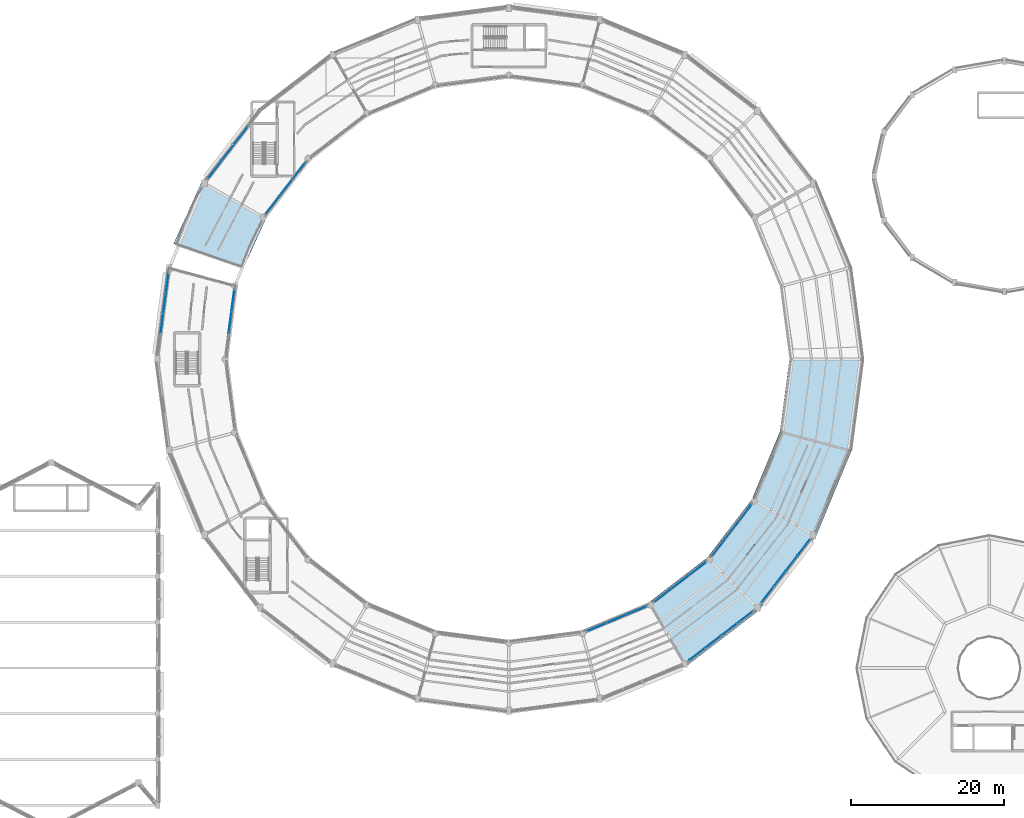
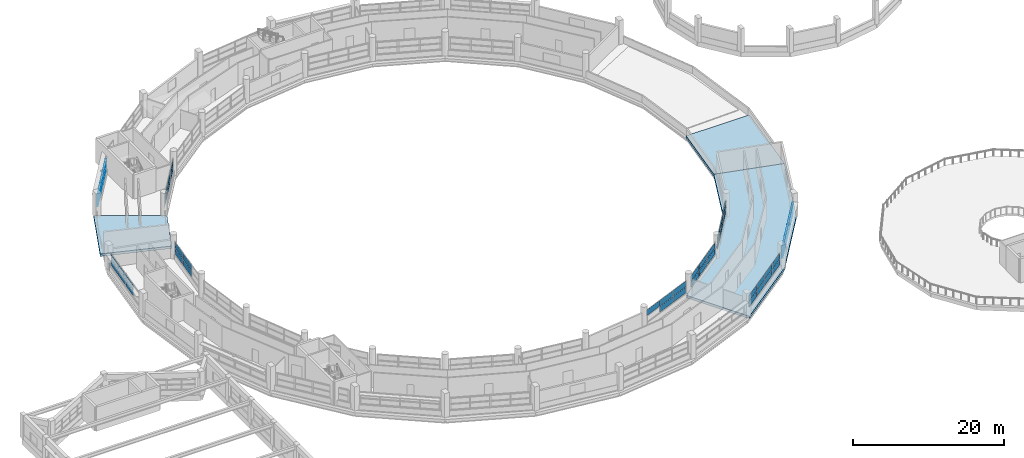
# One storey, part 86 of 108: 55 plates, 3 slabs, 9 elements without a shape of their own.
"""IFC4 building model written with IfcOpenShell, lengths in metres."""

from ifc_helpers import new_model, si_unit, direction, frame, origin, origin_2d, place, context, subcontext, project, spatial, polyline, rectangle, outline, extrude, material, layer, layer_set, type_object, element, aggregate, save


model = new_model("IFC4")

# Units and contexts
model_context = context("Model", 3, precision=1e-05, world=origin(), true_north=direction((0.0, 1.0)))
body_context = subcontext(model_context, "Body", "Model", "MODEL_VIEW")
ifc_project = project(units=[si_unit("LENGTHUNIT", "METRE"), si_unit("AREAUNIT", "SQUARE_METRE"), si_unit("VOLUMEUNIT", "CUBIC_METRE"), si_unit("PLANEANGLEUNIT", "RADIAN"), si_unit("MASSUNIT", "GRAM", prefix="KILO")], contexts=[model_context])

# Site, building, storey
site_placement = place(None, origin())
site = spatial("IfcSite", under=ifc_project, at=site_placement, CompositionType="ELEMENT")
building_placement = place(site_placement, origin())
building = spatial("IfcBuilding", under=site, at=building_placement, Name="Vespera Passage Community Centre", CompositionType="ELEMENT")
storey_placement = place(building_placement, frame((0.0, 0.0, 12.60009765625)))
storey = spatial("IfcBuildingStorey", under=building, at=storey_placement, Name="L03", CompositionType="ELEMENT", Elevation=12.60009765625)

# Curtain wall, plates
ifc_material_1 = material(Name="Anodized aluminium 6063-T6", Category="aluminium")
ifc_layer_1 = layer(ifc_material_1, 0.159912109375)
ifc_layer_set_1 = layer_set([ifc_layer_1], Name="Anodized aluminium 6063-T6")
curtain_wall_type_1 = type_object("IfcCurtainWallType", Name="CW-46E", PredefinedType="NOTDEFINED", material=ifc_layer_set_1)
curtain_wall_1_placement = place(storey_placement, origin())
curtain_wall_1 = element("IfcCurtainWall", 1, at=curtain_wall_1_placement, inside=storey, type_object=curtain_wall_type_1, Name="V4 L03 Outer Ribbon Curtain Wall 9", PredefinedType="NOTDEFINED")
ifc_material_2 = material(Name="Low-E insulated vision glass", Category="glass")
ifc_layer_2 = layer(ifc_material_2, 0.02001953125)
ifc_layer_set_2 = layer_set([ifc_layer_2], Name="Low-E insulated vision glass")
plate_type_1 = type_object("IfcPlateType", Name="PL-CWP-20E", PredefinedType="CURTAIN_PANEL", material=ifc_layer_set_2)
plate_1_placement = place(storey_placement, frame((39.444580078125, 90.333251953125, 0.919921875), z_axis=(0.0, 0.0, 1.0), x_axis=(0.608765222978, 0.793350429062, 0.0)))
plate_1 = element("IfcPlate", 2, at=plate_1_placement, type_object=plate_type_1, Name="CW-46E panel 1.1", PredefinedType="CURTAIN_PANEL", context=body_context, shape_type="SweptSolid", body=[
    extrude(rectangle(XDim=2.703369140625, YDim=0.02001953125, at=origin_2d()), origin(), (0.0, 0.0, 1.0), 0.832763671875),
])
plate_2_placement = place(storey_placement, frame((39.444580078125, 90.333251953125, 1.8525390625), z_axis=(0.0, 0.0, 1.0), x_axis=(0.608765222978, 0.793350429062, 0.0)))
plate_2 = element("IfcPlate", 3, at=plate_2_placement, type_object=plate_type_1, Name="CW-46E panel 1.2", PredefinedType="CURTAIN_PANEL", context=body_context, shape_type="SweptSolid", body=[
    extrude(rectangle(XDim=2.703369140625, YDim=0.02001953125, at=origin_2d()), origin(), (0.0, 0.0, 1.0), 0.832763671875),
])
plate_3_placement = place(storey_placement, frame((41.1396484375, 92.54248046875, 0.919921875), z_axis=(0.0, 0.0, 1.0), x_axis=(0.608765222978, 0.793350429062, 0.0)))
plate_3 = element("IfcPlate", 4, at=plate_3_placement, type_object=plate_type_1, Name="CW-46E panel 2.1", PredefinedType="CURTAIN_PANEL", context=body_context, shape_type="SweptSolid", body=[
    extrude(rectangle(XDim=2.73583984375, YDim=0.02001953125, at=origin_2d()), origin(), (0.0, 0.0, 1.0), 0.832763671875),
])
plate_4_placement = place(storey_placement, frame((41.1396484375, 92.54248046875, 1.8525390625), z_axis=(0.0, 0.0, 1.0), x_axis=(0.608765222978, 0.793350429062, 0.0)))
plate_4 = element("IfcPlate", 5, at=plate_4_placement, type_object=plate_type_1, Name="CW-46E panel 2.2", PredefinedType="CURTAIN_PANEL", context=body_context, shape_type="SweptSolid", body=[
    extrude(rectangle(XDim=2.73583984375, YDim=0.02001953125, at=origin_2d()), origin(), (0.0, 0.0, 1.0), 0.832763671875),
])
plate_5_placement = place(storey_placement, frame((42.8447265625, 94.764404296875, 0.919921875), z_axis=(0.0, 0.0, 1.0), x_axis=(0.608765222978, 0.793350429062, 0.0)))
plate_5 = element("IfcPlate", 6, at=plate_5_placement, type_object=plate_type_1, Name="CW-46E panel 3.1", PredefinedType="CURTAIN_PANEL", context=body_context, shape_type="SweptSolid", body=[
    extrude(rectangle(XDim=2.73583984375, YDim=0.02001953125, at=origin_2d()), origin(), (0.0, 0.0, 1.0), 0.832763671875),
])
plate_6_placement = place(storey_placement, frame((42.8447265625, 94.764404296875, 1.8525390625), z_axis=(0.0, 0.0, 1.0), x_axis=(0.608765222978, 0.793350429062, 0.0)))
plate_6 = element("IfcPlate", 7, at=plate_6_placement, type_object=plate_type_1, Name="CW-46E panel 3.2", PredefinedType="CURTAIN_PANEL", context=body_context, shape_type="SweptSolid", body=[
    extrude(rectangle(XDim=2.73583984375, YDim=0.02001953125, at=origin_2d()), origin(), (0.0, 0.0, 1.0), 0.832763671875),
])
aggregate(curtain_wall_1, [plate_1, plate_2, plate_3, plate_4, plate_5, plate_6])

ifc_material_3 = material(Name="Anodized aluminium 6063-T6", Category="aluminium")
ifc_layer_3 = layer(ifc_material_3, 0.159912109375)
ifc_layer_set_3 = layer_set([ifc_layer_3], Name="Anodized aluminium 6063-T6")
curtain_wall_type_2 = type_object("IfcCurtainWallType", Name="CW-38E", PredefinedType="NOTDEFINED", material=ifc_layer_set_3)
curtain_wall_2_placement = place(storey_placement, origin())
curtain_wall_2 = element("IfcCurtainWall", 8, at=curtain_wall_2_placement, inside=storey, type_object=curtain_wall_type_2, Name="V4 L03 Inner Court Curtain Wall 9", PredefinedType="NOTDEFINED")
plate_7_placement = place(storey_placement, frame((50.458251953125, 90.191650390625, 0.8798828125), z_axis=(0.0, 0.0, 1.0), x_axis=(-0.608755087843, -0.793358205999, 0.0)))
plate_7 = element("IfcPlate", 9, at=plate_7_placement, type_object=plate_type_1, Name="CW-38E panel 1.1", PredefinedType="CURTAIN_PANEL", context=body_context, shape_type="SweptSolid", body=[
    extrude(rectangle(XDim=2.72900390625, YDim=0.02001953125, at=origin_2d()), origin(), (0.0, 0.0, 1.0), 0.934814453125),
])
plate_8_placement = place(storey_placement, frame((50.458251953125, 90.191650390625, 1.87451171875), z_axis=(0.0, 0.0, 1.0), x_axis=(-0.608755087843, -0.793358205999, 0.0)))
plate_8 = element("IfcPlate", 10, at=plate_8_placement, type_object=plate_type_1, Name="CW-38E panel 1.2", PredefinedType="CURTAIN_PANEL", context=body_context, shape_type="SweptSolid", body=[
    extrude(rectangle(XDim=2.72900390625, YDim=0.02001953125, at=origin_2d()), origin(), (0.0, 0.0, 1.0), 0.934814453125),
])
plate_9_placement = place(storey_placement, frame((48.73974609375, 87.9521484375, 0.8798828125), z_axis=(0.0, 0.0, 1.0), x_axis=(-0.608755087843, -0.793358205999, 0.0)))
plate_9 = element("IfcPlate", 11, at=plate_9_placement, type_object=plate_type_1, Name="CW-38E panel 2.1", PredefinedType="CURTAIN_PANEL", context=body_context, shape_type="SweptSolid", body=[
    extrude(rectangle(XDim=2.7666015625, YDim=0.02001953125, at=origin_2d()), origin(), (0.0, 0.0, 1.0), 0.934814453125),
])
plate_10_placement = place(storey_placement, frame((48.73974609375, 87.9521484375, 1.87451171875), z_axis=(0.0, 0.0, 1.0), x_axis=(-0.608755087843, -0.793358205999, 0.0)))
plate_10 = element("IfcPlate", 12, at=plate_10_placement, type_object=plate_type_1, Name="CW-38E panel 2.2", PredefinedType="CURTAIN_PANEL", context=body_context, shape_type="SweptSolid", body=[
    extrude(rectangle(XDim=2.7666015625, YDim=0.02001953125, at=origin_2d()), origin(), (0.0, 0.0, 1.0), 0.934814453125),
])
plate_11_placement = place(storey_placement, frame((47.021240234375, 85.712646484375, 0.8798828125), z_axis=(0.0, 0.0, 1.0), x_axis=(-0.608755087843, -0.793358205999, 0.0)))
plate_11 = element("IfcPlate", 13, at=plate_11_placement, type_object=plate_type_1, Name="CW-38E panel 3.1", PredefinedType="CURTAIN_PANEL", context=body_context, shape_type="SweptSolid", body=[
    extrude(rectangle(XDim=2.72900390625, YDim=0.02001953125, at=origin_2d()), origin(), (0.0, 0.0, 1.0), 0.934814453125),
])
plate_12_placement = place(storey_placement, frame((47.021240234375, 85.712646484375, 1.87451171875), z_axis=(0.0, 0.0, 1.0), x_axis=(-0.608755087843, -0.793358205999, 0.0)))
plate_12 = element("IfcPlate", 14, at=plate_12_placement, type_object=plate_type_1, Name="CW-38E panel 3.2", PredefinedType="CURTAIN_PANEL", context=body_context, shape_type="SweptSolid", body=[
    extrude(rectangle(XDim=2.72900390625, YDim=0.02001953125, at=origin_2d()), origin(), (0.0, 0.0, 1.0), 0.934814453125),
])
aggregate(curtain_wall_2, [plate_7, plate_8, plate_9, plate_10, plate_11, plate_12])

ifc_material_4 = material(Name="Anodized aluminium 6063-T6", Category="aluminium")
ifc_layer_4 = layer(ifc_material_4, 0.159912109375)
ifc_layer_set_4 = layer_set([ifc_layer_4], Name="Anodized aluminium 6063-T6")
curtain_wall_type_3 = type_object("IfcCurtainWallType", Name="CW-52E", PredefinedType="NOTDEFINED", material=ifc_layer_set_4)
curtain_wall_3_placement = place(storey_placement, origin())
curtain_wall_3 = element("IfcCurtainWall", 15, at=curtain_wall_3_placement, inside=storey, type_object=curtain_wall_type_3, Name="V4 L03 Outer Ribbon Curtain Wall 21", PredefinedType="NOTDEFINED")
plate_13_placement = place(storey_placement, frame((116.61865234375, 40.749267578125, 0.919921875), z_axis=(0.0, 0.0, 1.0), x_axis=(-0.608765447029, -0.793350257139, 0.0)))
plate_13 = element("IfcPlate", 16, at=plate_13_placement, type_object=plate_type_1, Name="CW-52E panel 1.1", PredefinedType="CURTAIN_PANEL", context=body_context, shape_type="SweptSolid", body=[
    extrude(rectangle(XDim=2.49560546875, YDim=0.02001953125, at=origin_2d()), origin(), (0.0, 0.0, 1.0), 0.832763671875),
])
plate_14_placement = place(storey_placement, frame((116.61865234375, 40.749267578125, 1.8525390625), z_axis=(0.0, 0.0, 1.0), x_axis=(-0.608765447029, -0.793350257139, 0.0)))
plate_14 = element("IfcPlate", 17, at=plate_14_placement, type_object=plate_type_1, Name="CW-52E panel 1.2", PredefinedType="CURTAIN_PANEL", context=body_context, shape_type="SweptSolid", body=[
    extrude(rectangle(XDim=2.49560546875, YDim=0.02001953125, at=origin_2d()), origin(), (0.0, 0.0, 1.0), 0.832763671875),
])
plate_15_placement = place(storey_placement, frame((115.050048828125, 38.704833984375, 0.919921875), z_axis=(0.0, 0.0, 1.0), x_axis=(-0.608765447029, -0.793350257139, 0.0)))
plate_15 = element("IfcPlate", 18, at=plate_15_placement, type_object=plate_type_1, Name="CW-52E panel 2.1", PredefinedType="CURTAIN_PANEL", context=body_context, shape_type="SweptSolid", body=[
    extrude(rectangle(XDim=2.528076171875, YDim=0.02001953125, at=origin_2d()), origin(), (0.0, 0.0, 1.0), 0.832763671875),
])
plate_16_placement = place(storey_placement, frame((115.050048828125, 38.704833984375, 1.8525390625), z_axis=(0.0, 0.0, 1.0), x_axis=(-0.608765447029, -0.793350257139, 0.0)))
plate_16 = element("IfcPlate", 19, at=plate_16_placement, type_object=plate_type_1, Name="CW-52E panel 2.2", PredefinedType="CURTAIN_PANEL", context=body_context, shape_type="SweptSolid", body=[
    extrude(rectangle(XDim=2.528076171875, YDim=0.02001953125, at=origin_2d()), origin(), (0.0, 0.0, 1.0), 0.832763671875),
])
plate_17_placement = place(storey_placement, frame((113.471435546875, 36.6474609375, 0.919921875), z_axis=(0.0, 0.0, 1.0), x_axis=(-0.608765447029, -0.793350257139, 0.0)))
plate_17 = element("IfcPlate", 20, at=plate_17_placement, type_object=plate_type_1, Name="CW-52E panel 3.1", PredefinedType="CURTAIN_PANEL", context=body_context, shape_type="SweptSolid", body=[
    extrude(rectangle(XDim=2.528076171875, YDim=0.02001953125, at=origin_2d()), origin(), (0.0, 0.0, 1.0), 0.832763671875),
])
plate_18_placement = place(storey_placement, frame((113.471435546875, 36.6474609375, 1.8525390625), z_axis=(0.0, 0.0, 1.0), x_axis=(-0.608765447029, -0.793350257139, 0.0)))
plate_18 = element("IfcPlate", 21, at=plate_18_placement, type_object=plate_type_1, Name="CW-52E panel 3.2", PredefinedType="CURTAIN_PANEL", context=body_context, shape_type="SweptSolid", body=[
    extrude(rectangle(XDim=2.528076171875, YDim=0.02001953125, at=origin_2d()), origin(), (0.0, 0.0, 1.0), 0.832763671875),
])
plate_19_placement = place(storey_placement, frame((111.902587890625, 34.603271484375, 0.919921875), z_axis=(0.0, 0.0, 1.0), x_axis=(-0.608765447029, -0.793350257139, 0.0)))
plate_19 = element("IfcPlate", 22, at=plate_19_placement, type_object=plate_type_1, Name="CW-52E panel 4.1", PredefinedType="CURTAIN_PANEL", context=body_context, shape_type="SweptSolid", body=[
    extrude(rectangle(XDim=2.49560546875, YDim=0.02001953125, at=origin_2d()), origin(), (0.0, 0.0, 1.0), 0.832763671875),
])
plate_20_placement = place(storey_placement, frame((111.902587890625, 34.603271484375, 1.8525390625), z_axis=(0.0, 0.0, 1.0), x_axis=(-0.608765447029, -0.793350257139, 0.0)))
plate_20 = element("IfcPlate", 23, at=plate_20_placement, type_object=plate_type_1, Name="CW-52E panel 4.2", PredefinedType="CURTAIN_PANEL", context=body_context, shape_type="SweptSolid", body=[
    extrude(rectangle(XDim=2.49560546875, YDim=0.02001953125, at=origin_2d()), origin(), (0.0, 0.0, 1.0), 0.832763671875),
])
aggregate(curtain_wall_3, [plate_13, plate_14, plate_15, plate_16, plate_17, plate_18, plate_19, plate_20])

curtain_wall_4_placement = place(storey_placement, origin())
curtain_wall_4 = element("IfcCurtainWall", 24, at=curtain_wall_4_placement, inside=storey, type_object=curtain_wall_type_2, Name="V4 L03 Inner Court Curtain Wall 21", PredefinedType="NOTDEFINED")
plate_21_placement = place(storey_placement, frame((105.541748046875, 40.808349609375, 0.8798828125), z_axis=(0.0, 0.0, 1.0), x_axis=(0.608755087843, 0.793358205999, 0.0)))
plate_21 = element("IfcPlate", 25, at=plate_21_placement, type_object=plate_type_1, Name="CW-38E panel 1.1", PredefinedType="CURTAIN_PANEL", context=body_context, shape_type="SweptSolid", body=[
    extrude(rectangle(XDim=2.72900390625, YDim=0.02001953125, at=origin_2d()), origin(), (0.0, 0.0, 1.0), 0.934814453125),
])
plate_22_placement = place(storey_placement, frame((105.541748046875, 40.808349609375, 1.87451171875), z_axis=(0.0, 0.0, 1.0), x_axis=(0.608755087843, 0.793358205999, 0.0)))
plate_22 = element("IfcPlate", 26, at=plate_22_placement, type_object=plate_type_1, Name="CW-38E panel 1.2", PredefinedType="CURTAIN_PANEL", context=body_context, shape_type="SweptSolid", body=[
    extrude(rectangle(XDim=2.72900390625, YDim=0.02001953125, at=origin_2d()), origin(), (0.0, 0.0, 1.0), 0.934814453125),
])
plate_23_placement = place(storey_placement, frame((107.26025390625, 43.0478515625, 0.8798828125), z_axis=(0.0, 0.0, 1.0), x_axis=(0.608755087843, 0.793358205999, 0.0)))
plate_23 = element("IfcPlate", 27, at=plate_23_placement, type_object=plate_type_1, Name="CW-38E panel 2.1", PredefinedType="CURTAIN_PANEL", context=body_context, shape_type="SweptSolid", body=[
    extrude(rectangle(XDim=2.7666015625, YDim=0.02001953125, at=origin_2d()), origin(), (0.0, 0.0, 1.0), 0.934814453125),
])
plate_24_placement = place(storey_placement, frame((107.26025390625, 43.0478515625, 1.87451171875), z_axis=(0.0, 0.0, 1.0), x_axis=(0.608755087843, 0.793358205999, 0.0)))
plate_24 = element("IfcPlate", 28, at=plate_24_placement, type_object=plate_type_1, Name="CW-38E panel 2.2", PredefinedType="CURTAIN_PANEL", context=body_context, shape_type="SweptSolid", body=[
    extrude(rectangle(XDim=2.7666015625, YDim=0.02001953125, at=origin_2d()), origin(), (0.0, 0.0, 1.0), 0.934814453125),
])
plate_25_placement = place(storey_placement, frame((108.978759765625, 45.287353515625, 0.8798828125), z_axis=(0.0, 0.0, 1.0), x_axis=(0.608755087843, 0.793358205999, 0.0)))
plate_25 = element("IfcPlate", 29, at=plate_25_placement, type_object=plate_type_1, Name="CW-38E panel 3.1", PredefinedType="CURTAIN_PANEL", context=body_context, shape_type="SweptSolid", body=[
    extrude(rectangle(XDim=2.72900390625, YDim=0.02001953125, at=origin_2d()), origin(), (0.0, 0.0, 1.0), 0.934814453125),
])
plate_26_placement = place(storey_placement, frame((108.978759765625, 45.287353515625, 1.87451171875), z_axis=(0.0, 0.0, 1.0), x_axis=(0.608755087843, 0.793358205999, 0.0)))
plate_26 = element("IfcPlate", 30, at=plate_26_placement, type_object=plate_type_1, Name="CW-38E panel 3.2", PredefinedType="CURTAIN_PANEL", context=body_context, shape_type="SweptSolid", body=[
    extrude(rectangle(XDim=2.72900390625, YDim=0.02001953125, at=origin_2d()), origin(), (0.0, 0.0, 1.0), 0.934814453125),
])
aggregate(curtain_wall_4, [plate_21, plate_22, plate_23, plate_24, plate_25, plate_26])

ifc_material_5 = material(Name="Anodized aluminium 6063-T6", Category="aluminium")
ifc_layer_5 = layer(ifc_material_5, 0.159912109375)
ifc_layer_set_5 = layer_set([ifc_layer_5], Name="Anodized aluminium 6063-T6")
curtain_wall_type_4 = type_object("IfcCurtainWallType", Name="CW-40E", PredefinedType="NOTDEFINED", material=ifc_layer_set_5)
curtain_wall_5_placement = place(storey_placement, origin())
curtain_wall_5 = element("IfcCurtainWall", 31, at=curtain_wall_5_placement, inside=storey, type_object=curtain_wall_type_4, Name="V4 L03 Inner Court Curtain Wall 19", PredefinedType="NOTDEFINED")
ifc_material_6 = material(Name="Low-E insulated vision glass", Category="glass")
ifc_layer_6 = layer(ifc_material_6, 0.028076171875)
ifc_layer_set_6 = layer_set([ifc_layer_6], Name="Low-E insulated vision glass")
plate_type_2 = type_object("IfcPlateType", Name="PL-CWP-28E", PredefinedType="CURTAIN_PANEL", material=ifc_layer_set_6)
plate_27_placement = place(storey_placement, frame((89.47314453125, 30.331787109375, 1.87451171875), z_axis=(0.0, 0.0, 1.0), x_axis=(0.923876620096, 0.382690463482, 0.0)))
plate_27 = element("IfcPlate", 32, at=plate_27_placement, type_object=plate_type_2, Name="CW-40E panel 1.2", PredefinedType="CURTAIN_PANEL", context=body_context, shape_type="SweptSolid", body=[
    extrude(rectangle(XDim=2.7646484375, YDim=0.028076171875, at=origin_2d()), origin(), (0.0, 0.0, 1.0), 0.934814453125),
])
plate_28_placement = place(storey_placement, frame((92.114013671875, 31.42578125, 0.8798828125), z_axis=(0.0, 0.0, 1.0), x_axis=(0.923876620096, 0.382690463482, 0.0)))
plate_28 = element("IfcPlate", 33, at=plate_28_placement, type_object=plate_type_2, Name="CW-40E panel 2.1", PredefinedType="CURTAIN_PANEL", context=body_context, shape_type="SweptSolid", body=[
    extrude(rectangle(XDim=2.80224609375, YDim=0.028076171875, at=origin_2d()), origin(), (0.0, 0.0, 1.0), 0.934814453125),
])
plate_29_placement = place(storey_placement, frame((92.114013671875, 31.42578125, 1.87451171875), z_axis=(0.0, 0.0, 1.0), x_axis=(0.923876620096, 0.382690463482, 0.0)))
plate_29 = element("IfcPlate", 34, at=plate_29_placement, type_object=plate_type_2, Name="CW-40E panel 2.2", PredefinedType="CURTAIN_PANEL", context=body_context, shape_type="SweptSolid", body=[
    extrude(rectangle(XDim=2.80224609375, YDim=0.028076171875, at=origin_2d()), origin(), (0.0, 0.0, 1.0), 0.934814453125),
])
plate_30_placement = place(storey_placement, frame((94.7548828125, 32.519775390625, 0.8798828125), z_axis=(0.0, 0.0, 1.0), x_axis=(0.923876620096, 0.382690463482, 0.0)))
plate_30 = element("IfcPlate", 35, at=plate_30_placement, type_object=plate_type_2, Name="CW-40E panel 3.1", PredefinedType="CURTAIN_PANEL", context=body_context, shape_type="SweptSolid", body=[
    extrude(rectangle(XDim=2.7646484375, YDim=0.028076171875, at=origin_2d()), origin(), (0.0, 0.0, 1.0), 0.934814453125),
])
plate_31_placement = place(storey_placement, frame((94.7548828125, 32.519775390625, 1.87451171875), z_axis=(0.0, 0.0, 1.0), x_axis=(0.923876620096, 0.382690463482, 0.0)))
plate_31 = element("IfcPlate", 36, at=plate_31_placement, type_object=plate_type_2, Name="CW-40E panel 3.2", PredefinedType="CURTAIN_PANEL", context=body_context, shape_type="SweptSolid", body=[
    extrude(rectangle(XDim=2.7646484375, YDim=0.028076171875, at=origin_2d()), origin(), (0.0, 0.0, 1.0), 0.934814453125),
])
aggregate(curtain_wall_5, [plate_27, plate_28, plate_29, plate_30, plate_31])

ifc_material_7 = material(Name="Anodized aluminium 6063-T6", Category="aluminium")
ifc_layer_7 = layer(ifc_material_7, 0.159912109375)
ifc_layer_set_7 = layer_set([ifc_layer_7], Name="Anodized aluminium 6063-T6")
curtain_wall_type_5 = type_object("IfcCurtainWallType", Name="CW-47E", PredefinedType="NOTDEFINED", material=ifc_layer_set_7)
curtain_wall_6_placement = place(storey_placement, origin())
curtain_wall_6 = element("IfcCurtainWall", 37, at=curtain_wall_6_placement, inside=storey, type_object=curtain_wall_type_5, Name="V4 L03 Outer Ribbon Curtain Wall 11", PredefinedType="NOTDEFINED")
ifc_material_8 = material(Name="Acoustic triple-glazed vision glass", Category="glass")
ifc_layer_8 = layer(ifc_material_8, 0.035888671875)
ifc_layer_set_8 = layer_set([ifc_layer_8], Name="Acoustic triple-glazed vision glass")
plate_type_3 = type_object("IfcPlateType", Name="PL-CWP-36E", PredefinedType="CURTAIN_PANEL", material=ifc_layer_set_8)
plate_32_placement = place(storey_placement, frame((32.512451171875, 70.152587890625, 0.919921875), z_axis=(0.0, 0.0, 1.0), x_axis=(0.130522869458, 0.991445298818, 0.0)))
plate_32 = element("IfcPlate", 38, at=plate_32_placement, type_object=plate_type_3, Name="CW-47E panel 2.1", PredefinedType="CURTAIN_PANEL", context=body_context, shape_type="SweptSolid", body=[
    extrude(rectangle(XDim=2.573974609375, YDim=0.035888671875, at=origin_2d()), origin(), (0.0, 0.0, 1.0), 0.832763671875),
])
plate_33_placement = place(storey_placement, frame((32.512451171875, 70.152587890625, 1.8525390625), z_axis=(0.0, 0.0, 1.0), x_axis=(0.130522869458, 0.991445298818, 0.0)))
plate_33 = element("IfcPlate", 39, at=plate_33_placement, type_object=plate_type_3, Name="CW-47E panel 2.2", PredefinedType="CURTAIN_PANEL", context=body_context, shape_type="SweptSolid", body=[
    extrude(rectangle(XDim=2.573974609375, YDim=0.035888671875, at=origin_2d()), origin(), (0.0, 0.0, 1.0), 0.832763671875),
])
plate_34_placement = place(storey_placement, frame((32.858154296875, 72.779052734375, 0.919921875), z_axis=(0.0, 0.0, 1.0), x_axis=(0.130522869458, 0.991445298818, 0.0)))
plate_34 = element("IfcPlate", 40, at=plate_34_placement, type_object=plate_type_3, Name="CW-47E panel 3.1", PredefinedType="CURTAIN_PANEL", context=body_context, shape_type="SweptSolid", body=[
    extrude(rectangle(XDim=2.573974609375, YDim=0.035888671875, at=origin_2d()), origin(), (0.0, 0.0, 1.0), 0.832763671875),
])
plate_35_placement = place(storey_placement, frame((32.858154296875, 72.779052734375, 1.8525390625), z_axis=(0.0, 0.0, 1.0), x_axis=(0.130522869458, 0.991445298818, 0.0)))
plate_35 = element("IfcPlate", 41, at=plate_35_placement, type_object=plate_type_3, Name="CW-47E panel 3.2", PredefinedType="CURTAIN_PANEL", context=body_context, shape_type="SweptSolid", body=[
    extrude(rectangle(XDim=2.573974609375, YDim=0.035888671875, at=origin_2d()), origin(), (0.0, 0.0, 1.0), 0.832763671875),
])
plate_36_placement = place(storey_placement, frame((33.20166015625, 75.38671875, 0.919921875), z_axis=(0.0, 0.0, 1.0), x_axis=(0.130522869458, 0.991445298818, 0.0)))
plate_36 = element("IfcPlate", 42, at=plate_36_placement, type_object=plate_type_3, Name="CW-47E panel 4.1", PredefinedType="CURTAIN_PANEL", context=body_context, shape_type="SweptSolid", body=[
    extrude(rectangle(XDim=2.536376953125, YDim=0.035888671875, at=origin_2d()), origin(), (0.0, 0.0, 1.0), 0.832763671875),
])
plate_37_placement = place(storey_placement, frame((33.20166015625, 75.38671875, 1.8525390625), z_axis=(0.0, 0.0, 1.0), x_axis=(0.130522869458, 0.991445298818, 0.0)))
plate_37 = element("IfcPlate", 43, at=plate_37_placement, type_object=plate_type_3, Name="CW-47E panel 4.2", PredefinedType="CURTAIN_PANEL", context=body_context, shape_type="SweptSolid", body=[
    extrude(rectangle(XDim=2.536376953125, YDim=0.035888671875, at=origin_2d()), origin(), (0.0, 0.0, 1.0), 0.832763671875),
])
aggregate(curtain_wall_6, [plate_32, plate_33, plate_34, plate_35, plate_36, plate_37])

ifc_material_9 = material(Name="Anodized aluminium 6063-T6", Category="aluminium")
ifc_layer_9 = layer(ifc_material_9, 0.159912109375)
ifc_layer_set_9 = layer_set([ifc_layer_9], Name="Anodized aluminium 6063-T6")
curtain_wall_type_6 = type_object("IfcCurtainWallType", Name="CW-42E", PredefinedType="NOTDEFINED", material=ifc_layer_set_9)
curtain_wall_7_placement = place(storey_placement, origin())
curtain_wall_7 = element("IfcCurtainWall", 44, at=curtain_wall_7_placement, inside=storey, type_object=curtain_wall_type_6, Name="V4 L03 Inner Court Curtain Wall 11", PredefinedType="NOTDEFINED")
plate_38_placement = place(storey_placement, frame((41.80908203125, 73.165283203125, 0.8798828125), z_axis=(0.0, 0.0, 1.0), x_axis=(-0.1305221941, -0.991445387728, 0.0)))
plate_38 = element("IfcPlate", 45, at=plate_38_placement, type_object=plate_type_3, Name="CW-42E panel 1.1", PredefinedType="CURTAIN_PANEL", context=body_context, shape_type="SweptSolid", body=[
    extrude(rectangle(XDim=2.79443359375, YDim=0.035888671875, at=origin_2d()), origin(), (0.0, 0.0, 1.0), 0.934814453125),
])
plate_39_placement = place(storey_placement, frame((41.80908203125, 73.165283203125, 1.87451171875), z_axis=(0.0, 0.0, 1.0), x_axis=(-0.1305221941, -0.991445387728, 0.0)))
plate_39 = element("IfcPlate", 46, at=plate_39_placement, type_object=plate_type_3, Name="CW-42E panel 1.2", PredefinedType="CURTAIN_PANEL", context=body_context, shape_type="SweptSolid", body=[
    extrude(rectangle(XDim=2.79443359375, YDim=0.035888671875, at=origin_2d()), origin(), (0.0, 0.0, 1.0), 0.934814453125),
])
plate_40_placement = place(storey_placement, frame((41.433837890625, 70.31396484375, 0.8798828125), z_axis=(0.0, 0.0, 1.0), x_axis=(-0.1305221941, -0.991445387728, 0.0)))
plate_40 = element("IfcPlate", 47, at=plate_40_placement, type_object=plate_type_3, Name="CW-42E panel 2.1", PredefinedType="CURTAIN_PANEL", context=body_context, shape_type="SweptSolid", body=[
    extrude(rectangle(XDim=2.826904296875, YDim=0.035888671875, at=origin_2d()), origin(), (0.0, 0.0, 1.0), 0.934814453125),
])
plate_41_placement = place(storey_placement, frame((41.433837890625, 70.31396484375, 1.87451171875), z_axis=(0.0, 0.0, 1.0), x_axis=(-0.1305221941, -0.991445387728, 0.0)))
plate_41 = element("IfcPlate", 48, at=plate_41_placement, type_object=plate_type_3, Name="CW-42E panel 2.2", PredefinedType="CURTAIN_PANEL", context=body_context, shape_type="SweptSolid", body=[
    extrude(rectangle(XDim=2.826904296875, YDim=0.035888671875, at=origin_2d()), origin(), (0.0, 0.0, 1.0), 0.934814453125),
])
aggregate(curtain_wall_7, [plate_38, plate_39, plate_40, plate_41])

ifc_material_10 = material(Name="Anodized aluminium 6063-T6", Category="aluminium")
ifc_layer_10 = layer(ifc_material_10, 0.159912109375)
ifc_layer_set_10 = layer_set([ifc_layer_10], Name="Anodized aluminium 6063-T6")
curtain_wall_type_7 = type_object("IfcCurtainWallType", Name="CW-51E", PredefinedType="NOTDEFINED", material=ifc_layer_set_10)
curtain_wall_8_placement = place(storey_placement, origin())
curtain_wall_8 = element("IfcCurtainWall", 49, at=curtain_wall_8_placement, inside=storey, type_object=curtain_wall_type_7, Name="V4 L03 Outer Ribbon Curtain Wall 20", PredefinedType="NOTDEFINED")
plate_42_placement = place(storey_placement, frame((108.97998046875, 31.661376953125, 0.8798828125), z_axis=(0.0, 0.0, 1.0), x_axis=(-0.793345363065, -0.608771824991, 0.0)))
plate_42 = element("IfcPlate", 50, at=plate_42_placement, type_object=plate_type_3, Name="CW-51E panel 1.1", PredefinedType="CURTAIN_PANEL", context=body_context, shape_type="SweptSolid", body=[
    extrude(rectangle(XDim=2.55224609375, YDim=0.035888671875, at=origin_2d()), origin(), (0.0, 0.0, 1.0), 0.892822265625),
])
plate_43_placement = place(storey_placement, frame((108.97998046875, 31.661376953125, 1.83251953125), z_axis=(0.0, 0.0, 1.0), x_axis=(-0.793345363065, -0.608771824991, 0.0)))
plate_43 = element("IfcPlate", 51, at=plate_43_placement, type_object=plate_type_3, Name="CW-51E panel 1.2", PredefinedType="CURTAIN_PANEL", context=body_context, shape_type="SweptSolid", body=[
    extrude(rectangle(XDim=2.55224609375, YDim=0.035888671875, at=origin_2d()), origin(), (0.0, 0.0, 1.0), 0.892822265625),
])
plate_44_placement = place(storey_placement, frame((106.880859375, 30.050537109375, 0.8798828125), z_axis=(0.0, 0.0, 1.0), x_axis=(-0.793345363065, -0.608771824991, 0.0)))
plate_44 = element("IfcPlate", 52, at=plate_44_placement, type_object=plate_type_3, Name="CW-51E panel 2.1", PredefinedType="CURTAIN_PANEL", context=body_context, shape_type="SweptSolid", body=[
    extrude(rectangle(XDim=2.58984375, YDim=0.035888671875, at=origin_2d()), origin(), (0.0, 0.0, 1.0), 0.892822265625),
])
plate_45_placement = place(storey_placement, frame((106.880859375, 30.050537109375, 1.83251953125), z_axis=(0.0, 0.0, 1.0), x_axis=(-0.793345363065, -0.608771824991, 0.0)))
plate_45 = element("IfcPlate", 53, at=plate_45_placement, type_object=plate_type_3, Name="CW-51E panel 2.2", PredefinedType="CURTAIN_PANEL", context=body_context, shape_type="SweptSolid", body=[
    extrude(rectangle(XDim=2.58984375, YDim=0.035888671875, at=origin_2d()), origin(), (0.0, 0.0, 1.0), 0.892822265625),
])
plate_46_placement = place(storey_placement, frame((104.766845703125, 28.42822265625, 0.8798828125), z_axis=(0.0, 0.0, 1.0), x_axis=(-0.793345363065, -0.608771824991, 0.0)))
plate_46 = element("IfcPlate", 54, at=plate_46_placement, type_object=plate_type_3, Name="CW-51E panel 3.1", PredefinedType="CURTAIN_PANEL", context=body_context, shape_type="SweptSolid", body=[
    extrude(rectangle(XDim=2.58984375, YDim=0.035888671875, at=origin_2d()), origin(), (0.0, 0.0, 1.0), 0.892822265625),
])
plate_47_placement = place(storey_placement, frame((104.766845703125, 28.42822265625, 1.83251953125), z_axis=(0.0, 0.0, 1.0), x_axis=(-0.793345363065, -0.608771824991, 0.0)))
plate_47 = element("IfcPlate", 55, at=plate_47_placement, type_object=plate_type_3, Name="CW-51E panel 3.2", PredefinedType="CURTAIN_PANEL", context=body_context, shape_type="SweptSolid", body=[
    extrude(rectangle(XDim=2.58984375, YDim=0.035888671875, at=origin_2d()), origin(), (0.0, 0.0, 1.0), 0.892822265625),
])
plate_48_placement = place(storey_placement, frame((102.66748046875, 26.8173828125, 0.8798828125), z_axis=(0.0, 0.0, 1.0), x_axis=(-0.793345363065, -0.608771824991, 0.0)))
plate_48 = element("IfcPlate", 56, at=plate_48_placement, type_object=plate_type_3, Name="CW-51E panel 4.1", PredefinedType="CURTAIN_PANEL", context=body_context, shape_type="SweptSolid", body=[
    extrude(rectangle(XDim=2.55224609375, YDim=0.035888671875, at=origin_2d()), origin(), (0.0, 0.0, 1.0), 0.892822265625),
])
plate_49_placement = place(storey_placement, frame((102.66748046875, 26.8173828125, 1.83251953125), z_axis=(0.0, 0.0, 1.0), x_axis=(-0.793345363065, -0.608771824991, 0.0)))
plate_49 = element("IfcPlate", 57, at=plate_49_placement, type_object=plate_type_3, Name="CW-51E panel 4.2", PredefinedType="CURTAIN_PANEL", context=body_context, shape_type="SweptSolid", body=[
    extrude(rectangle(XDim=2.55224609375, YDim=0.035888671875, at=origin_2d()), origin(), (0.0, 0.0, 1.0), 0.892822265625),
])
aggregate(curtain_wall_8, [plate_42, plate_43, plate_44, plate_45, plate_46, plate_47, plate_48, plate_49])

ifc_material_11 = material(Name="Anodized aluminium 6063-T6", Category="aluminium")
ifc_layer_11 = layer(ifc_material_11, 0.159912109375)
ifc_layer_set_11 = layer_set([ifc_layer_11], Name="Anodized aluminium 6063-T6")
curtain_wall_type_8 = type_object("IfcCurtainWallType", Name="CW-45E", PredefinedType="NOTDEFINED", material=ifc_layer_set_11)
curtain_wall_9_placement = place(storey_placement, origin())
curtain_wall_9 = element("IfcCurtainWall", 58, at=curtain_wall_9_placement, inside=storey, type_object=curtain_wall_type_8, Name="V4 L03 Inner Court Curtain Wall 20", PredefinedType="NOTDEFINED")
plate_50_placement = place(storey_placement, frame((98.210693359375, 34.519775390625, 0.919921875), z_axis=(0.0, 0.0, 1.0), x_axis=(0.793358205999, 0.608755087843, 0.0)))
plate_50 = element("IfcPlate", 59, at=plate_50_placement, type_object=plate_type_3, Name="CW-45E panel 1.1", PredefinedType="CURTAIN_PANEL", context=body_context, shape_type="SweptSolid", body=[
    extrude(rectangle(XDim=2.744140625, YDim=0.035888671875, at=origin_2d()), origin(), (0.0, 0.0, 1.0), 0.874755859375),
])
plate_51_placement = place(storey_placement, frame((98.210693359375, 34.519775390625, 1.89453125), z_axis=(0.0, 0.0, 1.0), x_axis=(0.793358205999, 0.608755087843, 0.0)))
plate_51 = element("IfcPlate", 60, at=plate_51_placement, type_object=plate_type_3, Name="CW-45E panel 1.2", PredefinedType="CURTAIN_PANEL", context=body_context, shape_type="SweptSolid", body=[
    extrude(rectangle(XDim=2.744140625, YDim=0.035888671875, at=origin_2d()), origin(), (0.0, 0.0, 1.0), 0.874755859375),
])
plate_52_placement = place(storey_placement, frame((100.4521484375, 36.23974609375, 0.919921875), z_axis=(0.0, 0.0, 1.0), x_axis=(0.793358205999, 0.608755087843, 0.0)))
plate_52 = element("IfcPlate", 61, at=plate_52_placement, type_object=plate_type_3, Name="CW-45E panel 2.1", PredefinedType="CURTAIN_PANEL", context=body_context, shape_type="SweptSolid", body=[
    extrude(rectangle(XDim=2.776611328125, YDim=0.035888671875, at=origin_2d()), origin(), (0.0, 0.0, 1.0), 0.874755859375),
])
plate_53_placement = place(storey_placement, frame((100.4521484375, 36.23974609375, 1.89453125), z_axis=(0.0, 0.0, 1.0), x_axis=(0.793358205999, 0.608755087843, 0.0)))
plate_53 = element("IfcPlate", 62, at=plate_53_placement, type_object=plate_type_3, Name="CW-45E panel 2.2", PredefinedType="CURTAIN_PANEL", context=body_context, shape_type="SweptSolid", body=[
    extrude(rectangle(XDim=2.776611328125, YDim=0.035888671875, at=origin_2d()), origin(), (0.0, 0.0, 1.0), 0.874755859375),
])
plate_54_placement = place(storey_placement, frame((102.693603515625, 37.959716796875, 0.919921875), z_axis=(0.0, 0.0, 1.0), x_axis=(0.793358205999, 0.608755087843, 0.0)))
plate_54 = element("IfcPlate", 63, at=plate_54_placement, type_object=plate_type_3, Name="CW-45E panel 3.1", PredefinedType="CURTAIN_PANEL", context=body_context, shape_type="SweptSolid", body=[
    extrude(rectangle(XDim=2.744140625, YDim=0.035888671875, at=origin_2d()), origin(), (0.0, 0.0, 1.0), 0.874755859375),
])
plate_55_placement = place(storey_placement, frame((102.693603515625, 37.959716796875, 1.89453125), z_axis=(0.0, 0.0, 1.0), x_axis=(0.793358205999, 0.608755087843, 0.0)))
plate_55 = element("IfcPlate", 64, at=plate_55_placement, type_object=plate_type_3, Name="CW-45E panel 3.2", PredefinedType="CURTAIN_PANEL", context=body_context, shape_type="SweptSolid", body=[
    extrude(rectangle(XDim=2.744140625, YDim=0.035888671875, at=origin_2d()), origin(), (0.0, 0.0, 1.0), 0.874755859375),
])
aggregate(curtain_wall_9, [plate_50, plate_51, plate_52, plate_53, plate_54, plate_55])

# Slabs
ifc_material_12 = material(Name="Concrete f'c 45 MPa", Category="concrete")
ifc_layer_12 = layer(ifc_material_12, 0.39990234375)
ifc_layer_set_12 = layer_set([ifc_layer_12], Name="Concrete f'c 45 MPa")
slab_type_1 = type_object("IfcSlabType", Name="SL-TROOF-400E", PredefinedType="ROOF", material=ifc_layer_set_12)
slab_1_placement = place(storey_placement, frame((0.0, 0.0, -0.400146484375)))
element("IfcSlab", 65, at=slab_1_placement, inside=storey, type_object=slab_type_1, Name="V4 L03 Southeast Step Roof Slab", PredefinedType="ROOF", context=body_context, shape_type="SweptSolid", body=[
    extrude(outline(polyline([(122.91552734375, 53.46484375), (124.5, 65.5), (114.800048828125, 65.5), (113.546142578125, 55.9755859375), (122.91552734375, 53.46484375)])), origin(), (0.0, 0.0, 1.0), 0.400146484375),
])
ifc_material_13 = material(Name="Concrete f'c 45 MPa", Category="concrete")
ifc_layer_13 = layer(ifc_material_13, 0.39990234375)
ifc_layer_set_13 = layer_set([ifc_layer_13], Name="Concrete f'c 45 MPa")
slab_type_2 = type_object("IfcSlabType", Name="SL-XFER-400", PredefinedType="FLOOR", material=ifc_layer_set_13)
slab_2_placement = place(storey_placement, frame((0.0, 0.0, -0.400146484375)))
element("IfcSlab", 66, at=slab_2_placement, inside=storey, type_object=slab_type_2, Name="V4 L03 Annular Sector 4 Slab", PredefinedType="FLOOR", context=body_context, shape_type="SweptSolid", body=[
    extrude(outline(polyline([(37.729736328125, 88.75), (34.033447265625, 80.638916015625), (43.204833984375, 77.48095703125), (46.13037109375, 83.89990234375), (37.729736328125, 88.75)])), origin(), (0.0, 0.0, 1.0), 0.400146484375),
])
slab_3_placement = place(storey_placement, frame((0.0, 0.0, -0.400146484375)))
element("IfcSlab", 67, at=slab_3_placement, inside=storey, type_object=slab_type_2, Name="V4 L03 Annular Sector 8 Slab", PredefinedType="FLOOR", context=body_context, shape_type="SweptSolid", body=[
    extrude(outline(polyline([(101.25, 25.229736328125), (110.880615234375, 32.619384765625), (118.270263671875, 42.25), (122.91552734375, 53.46484375), (113.546142578125, 55.9755859375), (109.86962890625, 47.10009765625), (104.021484375, 39.478515625), (96.39990234375, 33.63037109375), (101.25, 25.229736328125)])), origin(), (0.0, 0.0, 1.0), 0.400146484375),
])

save(model, "model.ifc")
